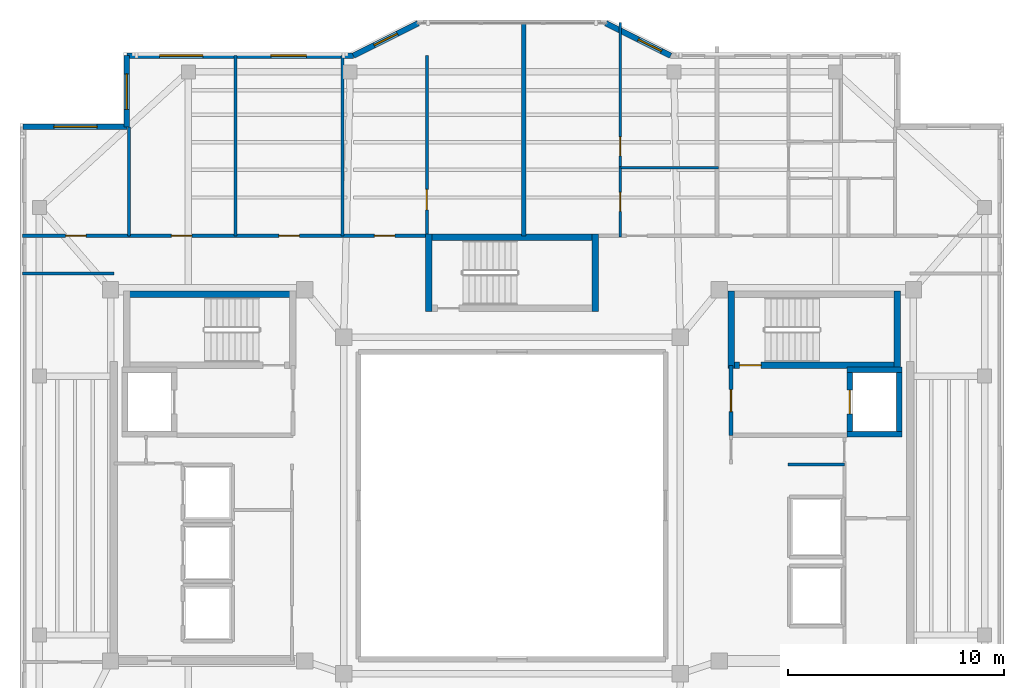
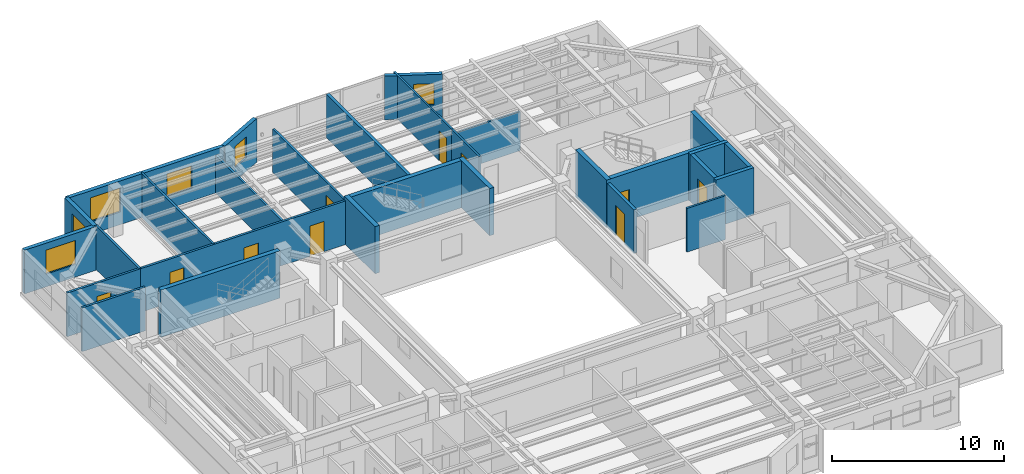
# One storey, part 9 of 14: 29 walls, 10 doors, 6 windows, 16 openings.
"""IFC4 building model written with IfcOpenShell, lengths in metres."""

from ifc_helpers import new_model, si_unit, direction, frame, frame_2d, origin, place, context, subcontext, project, spatial, rectangle, extrude, material, layer, layer_set, type_object, element, fill, save


model = new_model("IFC4")

# Units and contexts
model_context = context("Model", 3, precision=1e-05, world=origin(), true_north=direction((0.0, 1.0)))
body_context = subcontext(model_context, "Body", "Model", "MODEL_VIEW")
ifc_project = project(units=[si_unit("LENGTHUNIT", "METRE"), si_unit("AREAUNIT", "SQUARE_METRE"), si_unit("VOLUMEUNIT", "CUBIC_METRE"), si_unit("PLANEANGLEUNIT", "RADIAN"), si_unit("MASSUNIT", "GRAM", prefix="KILO")], contexts=[model_context])

# Site, building, storey
site_placement = place(None, origin())
site = spatial("IfcSite", under=ifc_project, at=site_placement, CompositionType="ELEMENT")
building_placement = place(site_placement, origin())
building = spatial("IfcBuilding", under=site, at=building_placement, Name="Tarnavaz Court Tower", CompositionType="ELEMENT")
storey_placement = place(building_placement, frame((0.0, 0.0, 258.25)))
storey = spatial("IfcBuildingStorey", under=building, at=storey_placement, Name="L70", CompositionType="ELEMENT", Elevation=258.25)

# Wall, opening, door
ifc_material_1 = material(Name="Concrete C50/60", Category="concrete")
ifc_layer_1 = layer(ifc_material_1, 0.25)
ifc_layer_set_1 = layer_set([ifc_layer_1], Name="Concrete C50/60")
wall_type_1 = type_object("IfcWallType", Name="WL-CORE-250-C50", PredefinedType="SHEAR", material=ifc_layer_set_1)
wall_1_placement = place(storey_placement, frame((15.64990234375, 3.175048828125, 0.0), z_axis=(0.0, 0.0, 1.0), x_axis=(0.0, 1.0, 0.0)))
wall_1 = element("IfcWall", 1, at=wall_1_placement, inside=storey, type_object=wall_type_1, Name="L70 Lift FL-E1 Shaft Wall 033", PredefinedType="SHEAR", context=body_context, shape_type="SweptSolid", body=[
    extrude(rectangle(XDim=3.25, YDim=0.25, at=frame_2d((1.625, 0.0))), origin(), (0.0, 0.0, 1.0), 3.35009765625),
])
opening_1_placement = place(wall_1_placement, frame((1.074951171875, 0.0, 0.0)))
opening_1 = element("IfcOpeningElement", 2, at=opening_1_placement, cuts=wall_1, Name="Opening LD1", PredefinedType="OPENING", context=body_context, shape_type="SweptSolid", body=[
    extrude(rectangle(XDim=1.10009765625, YDim=2.14990234375, at=frame_2d((0.550048828125, 1.074951171875))), frame((0.0, 0.135009765625, 0.0), z_axis=(0.0, -1.0, 0.0), x_axis=(1.0, 0.0, 0.0)), (0.0, 0.0, 1.0), 0.27001953125),
])
ifc_material_2 = material(Name="Stainless Steel", Category="steel")
door_type_1 = type_object("IfcDoorType", Name="DR-LD-1100", OperationType="NOTDEFINED", PredefinedType="DOOR", material=ifc_material_2)
door_1_placement = place(opening_1_placement, origin())
door_1 = element("IfcDoor", 3, at=door_1_placement, inside=storey, type_object=door_type_1, Name="L70 Lift Landing Door LD-FL-E1", OperationType="SLIDING_TO_LEFT", OverallHeight=2.14990234375, OverallWidth=1.10009765625, PredefinedType="DOOR", context=body_context, shape_type="SweptSolid", body=[
    extrude(rectangle(XDim=1.10009765625, YDim=2.14990234375, at=frame_2d((0.550048828125, 1.074951171875))), frame((0.0, 0.02490234375, 0.0), z_axis=(0.0, -1.0, 0.0), x_axis=(1.0, 0.0, 0.0)), (0.0, 0.0, 1.0), 0.050048828125),
])
fill(opening_1, door_1)

# Walls
wall_2_placement = place(storey_placement, frame((17.949951171875, 3.175048828125, 0.0), z_axis=(0.0, 0.0, 1.0), x_axis=(0.0, 1.0, 0.0)))
element("IfcWall", 4, at=wall_2_placement, inside=storey, type_object=wall_type_1, Name="L70 Lift FL-E1 Shaft Wall 034", PredefinedType="SHEAR", context=body_context, shape_type="SweptSolid", body=[
    extrude(rectangle(XDim=3.25, YDim=0.25, at=frame_2d((1.625, 0.0))), origin(), (0.0, 0.0, 1.0), 3.35009765625),
])
for number, where, z_axis, x_axis, name in (
    (5, (15.52490234375, 3.300048828125, 0.0), (0.0, 0.0, 1.0), (1.0, 0.0, 0.0), "L70 Lift FL-E1 Shaft Wall 035"),
    (6, (15.52490234375, 6.300048828125, 0.0), (0.0, 0.0, 1.0), (1.0, 0.0, 0.0), "L70 Lift FL-E1 Shaft Wall 036"),
):
    element("IfcWall", number, at=place(storey_placement, frame(where, z_axis=z_axis, x_axis=x_axis)), inside=storey, type_object=wall_type_1, Name=name, PredefinedType="SHEAR", context=body_context, shape_type="SweptSolid", body=[
        extrude(rectangle(XDim=2.550048828125, YDim=0.25, at=frame_2d((1.27490234375, 0.0))), origin(), (0.0, 0.0, 1.0), 3.35009765625),
    ])
ifc_layer_2 = layer(ifc_material_1, 0.300048828125)
ifc_layer_set_2 = layer_set([ifc_layer_2], Name="Concrete C50/60")
wall_type_2 = type_object("IfcWallType", Name="WL-CORE-300-C50", PredefinedType="SHEAR", material=ifc_layer_set_2)
wall_3_placement = place(storey_placement, frame((-18.0, 9.7900390625, 0.0), z_axis=(0.0, 0.0, 1.0), x_axis=(1.0, 0.0, 0.0)))
element("IfcWall", 7, at=wall_3_placement, inside=storey, type_object=wall_type_2, Name="L70 West Stair Core Wall 001", PredefinedType="SHEAR", context=body_context, shape_type="SweptSolid", body=[
    extrude(rectangle(XDim=8.0, YDim=0.300048828125, at=frame_2d((4.0, 0.0))), origin(), (0.0, 0.0, 1.0), 3.35009765625),
])

# Wall, opening, door
wall_4_placement = place(storey_placement, frame((10.0, 6.5, 0.0), z_axis=(0.0, 0.0, 1.0), x_axis=(1.0, 0.0, 0.0)))
wall_4 = element("IfcWall", 8, at=wall_4_placement, inside=storey, type_object=wall_type_2, Name="L70 East Stair Core Wall 006", PredefinedType="SHEAR", context=body_context, shape_type="SweptSolid", body=[
    extrude(rectangle(XDim=8.0, YDim=0.300048828125, at=frame_2d((4.0, 0.0))), origin(), (0.0, 0.0, 1.0), 3.35009765625),
])
opening_2_placement = place(wall_4_placement, frame((0.550048828125, 0.0, 0.0)))
opening_2 = element("IfcOpeningElement", 9, at=opening_2_placement, cuts=wall_4, Name="Opening D01", PredefinedType="OPENING", context=body_context, shape_type="SweptSolid", body=[
    extrude(rectangle(XDim=1.0, YDim=2.14990234375, at=frame_2d((0.5, 1.074951171875))), frame((0.0, 0.159912109375, 0.0), z_axis=(0.0, -1.0, 0.0), x_axis=(1.0, 0.0, 0.0)), (0.0, 0.0, 1.0), 0.320068359375),
])
ifc_material_3 = material(Name="Fire-Rated Hardwood Timber Core", Category="wood")
door_type_2 = type_object("IfcDoorType", Name="DR-FD90-1000", OperationType="NOTDEFINED", PredefinedType="DOOR", material=ifc_material_3)
door_2_placement = place(opening_2_placement, origin())
door_2 = element("IfcDoor", 10, at=door_2_placement, inside=storey, type_object=door_type_2, Name="L70 Stair ST-E1 Exit Door", OperationType="SINGLE_SWING_RIGHT", OverallHeight=2.14990234375, OverallWidth=1.0, PredefinedType="DOOR", context=body_context, shape_type="SweptSolid", body=[
    extrude(rectangle(XDim=1.0, YDim=2.14990234375, at=frame_2d((0.5, 1.074951171875))), frame((0.0, 0.02490234375, 0.0), z_axis=(0.0, -1.0, 0.0), x_axis=(1.0, 0.0, 0.0)), (0.0, 0.0, 1.0), 0.050048828125),
])
fill(opening_2, door_2)

# Walls
for number, where, z_axis, x_axis, name in (
    (11, (10.14990234375, 6.35009765625, 0.0), (0.0, 0.0, 1.0), (0.0, 1.0, 0.0), "L70 East Stair Core Wall 007"),
    (12, (17.85009765625, 6.35009765625, 0.0), (0.0, 0.0, 1.0), (0.0, 1.0, 0.0), "L70 East Stair Core Wall 008"),
):
    element("IfcWall", number, at=place(storey_placement, frame(where, z_axis=z_axis, x_axis=x_axis)), inside=storey, type_object=wall_type_2, Name=name, PredefinedType="SHEAR", context=body_context, shape_type="SweptSolid", body=[
        extrude(rectangle(XDim=3.58984375, YDim=0.300048828125, at=frame_2d((1.794921875, 0.0))), origin(), (0.0, 0.0, 1.0), 3.35009765625),
    ])
wall_5_placement = place(storey_placement, frame((-4.0, 12.43994140625, 0.0), z_axis=(0.0, 0.0, 1.0), x_axis=(1.0, 0.0, 0.0)))
element("IfcWall", 13, at=wall_5_placement, inside=storey, type_object=wall_type_2, Name="L70 North Stair Core Wall 009", PredefinedType="SHEAR", context=body_context, shape_type="SweptSolid", body=[
    extrude(rectangle(XDim=8.0, YDim=0.300048828125, at=frame_2d((4.0, 0.0))), origin(), (0.0, 0.0, 1.0), 3.35009765625),
])
for number, where, z_axis, x_axis, name in (
    (14, (-3.85009765625, 9.0, 0.0), (0.0, 0.0, 1.0), (0.0, 1.0, 0.0), "L70 North Stair Core Wall 011"),
    (15, (3.85009765625, 9.0, 0.0), (0.0, 0.0, 1.0), (0.0, 1.0, 0.0), "L70 North Stair Core Wall 012"),
):
    element("IfcWall", number, at=place(storey_placement, frame(where, z_axis=z_axis, x_axis=x_axis)), inside=storey, type_object=wall_type_2, Name=name, PredefinedType="SHEAR", context=body_context, shape_type="SweptSolid", body=[
        extrude(rectangle(XDim=3.590087890625, YDim=0.300048828125, at=frame_2d((1.794921875, 0.0))), origin(), (0.0, 0.0, 1.0), 3.35009765625),
    ])

# Wall, opening, window
ifc_material_4 = material(Name="Precast Concrete C40/50", Category="concrete")
ifc_layer_3 = layer(ifc_material_4, 0.260009765625)
ifc_layer_set_3 = layer_set([ifc_layer_3], Name="Precast Concrete C40/50")
wall_type_3 = type_object("IfcWallType", Name="WL-EXT-260", PredefinedType="SOLIDWALL", material=ifc_layer_set_3)
wall_6_placement = place(storey_placement, frame((-22.64990234375, 17.550048828125, 0.0), z_axis=(0.0, 0.0, 1.0), x_axis=(1.0, 0.0, 0.0)))
wall_6 = element("IfcWall", 16, at=wall_6_placement, inside=storey, type_object=wall_type_3, Name="L70 Exterior Terracotta Facade Wall 03", PredefinedType="SOLIDWALL", context=body_context, shape_type="SweptSolid", body=[
    extrude(rectangle(XDim=4.7998046875, YDim=0.260009765625, at=frame_2d((2.39990234375, 0.0))), origin(), (0.0, 0.0, 1.0), 3.10009765625),
])
opening_3_placement = place(wall_6_placement, frame((1.42529296875, 0.0, 0.89990234375)))
opening_3 = element("IfcOpeningElement", 17, at=opening_3_placement, cuts=wall_6, Name="Opening W08", PredefinedType="OPENING", context=body_context, shape_type="SweptSolid", body=[
    extrude(rectangle(XDim=2.0, YDim=1.699951171875, at=frame_2d((1.0, 0.85009765625))), frame((0.0, 0.139892578125, 0.0), z_axis=(0.0, -1.0, 0.0), x_axis=(1.0, 0.0, 0.0)), (0.0, 0.0, 1.0), 0.280029296875),
])
ifc_material_5 = material(Name="Double-Glazed Solar Low-E Glass", Category="glass")
window_type_1 = type_object("IfcWindowType", Name="WN-APT-2000", PartitioningType="DOUBLE_PANEL_VERTICAL", PredefinedType="WINDOW", material=ifc_material_5)
window_1_placement = place(opening_3_placement, origin())
window_1 = element("IfcWindow", 18, at=window_1_placement, inside=storey, type_object=window_type_1, Name="L70 North-West Corner Sunroom Study Window", OverallHeight=1.699951171875, OverallWidth=2.0, PartitioningType="SINGLE_PANEL", PredefinedType="WINDOW", context=body_context, shape_type="SweptSolid", body=[
    extrude(rectangle(XDim=2.0, YDim=1.699951171875, at=frame_2d((1.0, 0.85009765625))), frame((0.0, 0.030029296875, 0.0), z_axis=(0.0, -1.0, 0.0), x_axis=(1.0, 0.0, 0.0)), (0.0, 0.0, 1.0), 0.06005859375),
])
fill(opening_3, window_1)

wall_7_placement = place(storey_placement, frame((-17.85009765625, 17.550048828125, 0.0), z_axis=(0.0, 0.0, 1.0), x_axis=(0.0, 1.0, 0.0)))
wall_7 = element("IfcWall", 19, at=wall_7_placement, inside=storey, type_object=wall_type_3, Name="L70 Exterior Terracotta Facade Wall 04", PredefinedType="SOLIDWALL", context=body_context, shape_type="SweptSolid", body=[
    extrude(rectangle(XDim=3.300048828125, YDim=0.260009765625, at=frame_2d((1.64990234375, 0.0))), origin(), (0.0, 0.0, 1.0), 3.10009765625),
])
opening_4_placement = place(wall_7_placement, frame((0.8076171875, 0.0, 0.89990234375)))
opening_4 = element("IfcOpeningElement", 20, at=opening_4_placement, cuts=wall_7, Name="Opening W02", PredefinedType="OPENING", context=body_context, shape_type="SweptSolid", body=[
    extrude(rectangle(XDim=1.64990234375, YDim=1.60009765625, at=frame_2d((0.824951171875, 0.800048828125))), frame((0.0, 0.139892578125, 0.0), z_axis=(0.0, -1.0, 0.0), x_axis=(1.0, 0.0, 0.0)), (0.0, 0.0, 1.0), 0.280029296875),
])
window_type_2 = type_object("IfcWindowType", Name="WN-APT-1650", PartitioningType="DOUBLE_PANEL_VERTICAL", PredefinedType="WINDOW", material=ifc_material_5)
window_2_placement = place(opening_4_placement, origin())
window_2 = element("IfcWindow", 21, at=window_2_placement, inside=storey, type_object=window_type_2, Name="L70 Resident Community Meeting Room Window", OverallHeight=1.60009765625, OverallWidth=1.64990234375, PartitioningType="SINGLE_PANEL", PredefinedType="WINDOW", context=body_context, shape_type="SweptSolid", body=[
    extrude(rectangle(XDim=1.64990234375, YDim=1.60009765625, at=frame_2d((0.824951171875, 0.800048828125))), frame((0.0, 0.030029296875, 0.0), z_axis=(0.0, -1.0, 0.0), x_axis=(1.0, 0.0, 0.0)), (0.0, 0.0, 1.0), 0.06005859375),
])
fill(opening_4, window_2)

# Wall, openings, windows
wall_8_placement = place(storey_placement, frame((-17.85009765625, 20.85009765625, 0.0), z_axis=(0.0, 0.0, 1.0), x_axis=(1.0, 0.0, 0.0)))
wall_8 = element("IfcWall", 22, at=wall_8_placement, inside=storey, type_object=wall_type_3, Name="L70 Exterior Terracotta Facade Wall 05", PredefinedType="SOLIDWALL", context=body_context, shape_type="SweptSolid", body=[
    extrude(rectangle(XDim=10.5, YDim=0.260009765625, at=frame_2d((5.25, 0.0))), origin(), (0.0, 0.0, 1.0), 3.10009765625),
])
opening_5_placement = place(wall_8_placement, frame((1.52490234375, 0.0, 0.89990234375)))
opening_5 = element("IfcOpeningElement", 23, at=opening_5_placement, cuts=wall_8, Name="Opening W08", PredefinedType="OPENING", context=body_context, shape_type="SweptSolid", body=[
    extrude(rectangle(XDim=2.0, YDim=1.699951171875, at=frame_2d((1.0, 0.85009765625))), frame((0.0, 0.139892578125, 0.0), z_axis=(0.0, -1.0, 0.0), x_axis=(1.0, 0.0, 0.0)), (0.0, 0.0, 1.0), 0.280029296875),
])
opening_6_placement = place(wall_8_placement, frame((6.675048828125, 0.0, 0.89990234375)))
opening_6 = element("IfcOpeningElement", 24, at=opening_6_placement, cuts=wall_8, Name="Opening W02", PredefinedType="OPENING", context=body_context, shape_type="SweptSolid", body=[
    extrude(rectangle(XDim=1.64990234375, YDim=1.60009765625, at=frame_2d((0.824951171875, 0.800048828125))), frame((0.0, 0.139892578125, 0.0), z_axis=(0.0, -1.0, 0.0), x_axis=(1.0, 0.0, 0.0)), (0.0, 0.0, 1.0), 0.280029296875),
])
window_3_placement = place(opening_6_placement, origin())
window_3 = element("IfcWindow", 25, at=window_3_placement, inside=storey, type_object=window_type_2, Name="L70 Craft and Maker Workshop Room Window", OverallHeight=1.60009765625, OverallWidth=1.64990234375, PartitioningType="SINGLE_PANEL", PredefinedType="WINDOW", context=body_context, shape_type="SweptSolid", body=[
    extrude(rectangle(XDim=1.64990234375, YDim=1.60009765625, at=frame_2d((0.824951171875, 0.800048828125))), frame((0.0, 0.030029296875, 0.0), z_axis=(0.0, -1.0, 0.0), x_axis=(1.0, 0.0, 0.0)), (0.0, 0.0, 1.0), 0.06005859375),
])
fill(opening_6, window_3)
window_4_placement = place(opening_5_placement, origin())
window_4 = element("IfcWindow", 26, at=window_4_placement, inside=storey, type_object=window_type_1, Name="L70 Resident Community Meeting Room Window", OverallHeight=1.699951171875, OverallWidth=2.0, PartitioningType="SINGLE_PANEL", PredefinedType="WINDOW", context=body_context, shape_type="SweptSolid", body=[
    extrude(rectangle(XDim=2.0, YDim=1.699951171875, at=frame_2d((1.0, 0.85009765625))), frame((0.0, 0.030029296875, 0.0), z_axis=(0.0, -1.0, 0.0), x_axis=(1.0, 0.0, 0.0)), (0.0, 0.0, 1.0), 0.06005859375),
])
fill(opening_5, window_4)

# Wall, opening, window
wall_9_placement = place(storey_placement, frame((-7.35009765625, 20.85009765625, 0.0), z_axis=(0.0, 0.0, 1.0), x_axis=(0.894427191, 0.4472135955, 0.0)))
wall_9 = element("IfcWall", 27, at=wall_9_placement, inside=storey, type_object=wall_type_3, Name="L70 Exterior Terracotta Facade Wall 06", PredefinedType="SOLIDWALL", context=body_context, shape_type="SweptSolid", body=[
    extrude(rectangle(XDim=3.35400390625, YDim=0.260009765625, at=frame_2d((1.677001953125, 0.0))), origin(), (0.0, 0.0, 1.0), 3.10009765625),
])
opening_7_placement = place(wall_9_placement, frame((1.0771484375, 0.0, 0.949951171875)))
opening_7 = element("IfcOpeningElement", 28, at=opening_7_placement, cuts=wall_9, Name="Opening W05", PredefinedType="OPENING", context=body_context, shape_type="SweptSolid", body=[
    extrude(rectangle(XDim=1.199951171875, YDim=1.5, at=frame_2d((0.60009765625, 0.75))), frame((0.0, 0.139892578125, 0.0), z_axis=(0.0, -1.0, 0.0), x_axis=(1.0, 0.0, 0.0)), (0.0, 0.0, 1.0), 0.280029296875),
])
window_type_3 = type_object("IfcWindowType", Name="WN-APT-1200", PartitioningType="SINGLE_PANEL", PredefinedType="WINDOW", material=ifc_material_5)
window_5_placement = place(opening_7_placement, origin())
window_5 = element("IfcWindow", 29, at=window_5_placement, inside=storey, type_object=window_type_3, Name="L70 Prow Cheek Bedroom Window 06", OverallHeight=1.5, OverallWidth=1.199951171875, PartitioningType="SINGLE_PANEL", PredefinedType="WINDOW", context=body_context, shape_type="SweptSolid", body=[
    extrude(rectangle(XDim=1.199951171875, YDim=1.5, at=frame_2d((0.60009765625, 0.75))), frame((0.0, 0.030029296875, 0.0), z_axis=(0.0, -1.0, 0.0), x_axis=(1.0, 0.0, 0.0)), (0.0, 0.0, 1.0), 0.06005859375),
])
fill(opening_7, window_5)

wall_10_placement = place(storey_placement, frame((4.35009765625, 22.35009765625, 0.0), z_axis=(0.0, 0.0, 1.0), x_axis=(0.894427191, -0.4472135955, 0.0)))
wall_10 = element("IfcWall", 30, at=wall_10_placement, inside=storey, type_object=wall_type_3, Name="L70 Exterior Terracotta Facade Wall 08", PredefinedType="SOLIDWALL", context=body_context, shape_type="SweptSolid", body=[
    extrude(rectangle(XDim=3.35400390625, YDim=0.260009765625, at=frame_2d((1.677001953125, 0.0))), origin(), (0.0, 0.0, 1.0), 3.10009765625),
])
opening_8_placement = place(wall_10_placement, frame((1.677978515625, 0.0, 0.949951171875)))
opening_8 = element("IfcOpeningElement", 31, at=opening_8_placement, cuts=wall_10, Name="Opening W05", PredefinedType="OPENING", context=body_context, shape_type="SweptSolid", body=[
    extrude(rectangle(XDim=1.199951171875, YDim=1.5, at=frame_2d((0.60009765625, 0.75))), frame((0.0, 0.139892578125, 0.0), z_axis=(0.0, -1.0, 0.0), x_axis=(1.0, 0.0, 0.0)), (0.0, 0.0, 1.0), 0.280029296875),
])
window_6_placement = place(opening_8_placement, origin())
window_6 = element("IfcWindow", 32, at=window_6_placement, inside=storey, type_object=window_type_3, Name="L70 Flat 01 Kitchen Window", OverallHeight=1.5, OverallWidth=1.199951171875, PartitioningType="SINGLE_PANEL", PredefinedType="WINDOW", context=body_context, shape_type="SweptSolid", body=[
    extrude(rectangle(XDim=1.199951171875, YDim=1.5, at=frame_2d((0.60009765625, 0.75))), frame((0.0, 0.030029296875, 0.0), z_axis=(0.0, -1.0, 0.0), x_axis=(1.0, 0.0, 0.0)), (0.0, 0.0, 1.0), 0.06005859375),
])
fill(opening_8, window_6)

# Wall, openings, doors
ifc_material_6 = material(Name="Gypsum Fire-Board on Acoustic Metal Stud", Category="masonry")
ifc_layer_4 = layer(ifc_material_6, 0.14990234375)
ifc_layer_set_4 = layer_set([ifc_layer_4], Name="Gypsum Fire-Board on Acoustic Metal Stud")
wall_type_4 = type_object("IfcWallType", Name="WL-FIRE-150", PredefinedType="PARTITIONING", material=ifc_layer_set_4)
wall_11_placement = place(storey_placement, frame((-17.75, 12.5, 0.0), z_axis=(0.0, 0.0, 1.0), x_axis=(1.0, 0.0, 0.0)))
wall_11 = element("IfcWall", 33, at=wall_11_placement, inside=storey, type_object=wall_type_4, Name="L70 NW Wing Corridor Wall 057", PredefinedType="PARTITIONING", context=body_context, shape_type="SweptSolid", body=[
    extrude(rectangle(XDim=13.89990234375, YDim=0.14990234375, at=frame_2d((6.949951171875, 0.0))), origin(), (0.0, 0.0, 1.0), 3.10009765625),
])
opening_9_placement = place(wall_11_placement, frame((1.968017578125, 0.0, 0.0)))
opening_9 = element("IfcOpeningElement", 34, at=opening_9_placement, cuts=wall_11, Name="Opening D13", PredefinedType="OPENING", context=body_context, shape_type="SweptSolid", body=[
    extrude(rectangle(XDim=0.949951171875, YDim=2.14990234375, at=frame_2d((0.47509765625, 1.074951171875))), frame((0.0, 0.0849609375, 0.0), z_axis=(0.0, -1.0, 0.0), x_axis=(1.0, 0.0, 0.0)), (0.0, 0.0, 1.0), 0.169921875),
])
opening_10_placement = place(wall_11_placement, frame((6.944091796875, 0.0, 0.0)))
opening_10 = element("IfcOpeningElement", 35, at=opening_10_placement, cuts=wall_11, Name="Opening D13", PredefinedType="OPENING", context=body_context, shape_type="SweptSolid", body=[
    extrude(rectangle(XDim=0.949951171875, YDim=2.14990234375, at=frame_2d((0.47509765625, 1.074951171875))), frame((0.0, 0.0849609375, 0.0), z_axis=(0.0, -1.0, 0.0), x_axis=(1.0, 0.0, 0.0)), (0.0, 0.0, 1.0), 0.169921875),
])
opening_11_placement = place(wall_11_placement, frame((11.37109375, 0.0, 0.0)))
opening_11 = element("IfcOpeningElement", 36, at=opening_11_placement, cuts=wall_11, Name="Opening D13", PredefinedType="OPENING", context=body_context, shape_type="SweptSolid", body=[
    extrude(rectangle(XDim=0.949951171875, YDim=2.14990234375, at=frame_2d((0.47509765625, 1.074951171875))), frame((0.0, 0.0849609375, 0.0), z_axis=(0.0, -1.0, 0.0), x_axis=(1.0, 0.0, 0.0)), (0.0, 0.0, 1.0), 0.169921875),
])
ifc_material_7 = material(Name="Engineered Oak Timber", Category="wood")
door_type_3 = type_object("IfcDoorType", Name="DR-INT-950", OperationType="NOTDEFINED", PredefinedType="DOOR", material=ifc_material_7)
door_3_placement = place(opening_9_placement, origin())
door_3 = element("IfcDoor", 37, at=door_3_placement, inside=storey, type_object=door_type_3, Name="L70 Resident Community Meeting Room Door", OperationType="SINGLE_SWING_LEFT", OverallHeight=2.14990234375, OverallWidth=0.949951171875, PredefinedType="DOOR", context=body_context, shape_type="SweptSolid", body=[
    extrude(rectangle(XDim=0.949951171875, YDim=2.14990234375, at=frame_2d((0.47509765625, 1.074951171875))), frame((0.0, 0.02490234375, 0.0), z_axis=(0.0, -1.0, 0.0), x_axis=(1.0, 0.0, 0.0)), (0.0, 0.0, 1.0), 0.050048828125),
])
fill(opening_9, door_3)
door_4_placement = place(opening_10_placement, origin())
door_4 = element("IfcDoor", 38, at=door_4_placement, inside=storey, type_object=door_type_3, Name="L70 Craft and Maker Workshop Room Door", OperationType="SINGLE_SWING_RIGHT", OverallHeight=2.14990234375, OverallWidth=0.949951171875, PredefinedType="DOOR", context=body_context, shape_type="SweptSolid", body=[
    extrude(rectangle(XDim=0.949951171875, YDim=2.14990234375, at=frame_2d((0.47509765625, 1.074951171875))), frame((0.0, 0.02490234375, 0.0), z_axis=(0.0, -1.0, 0.0), x_axis=(1.0, 0.0, 0.0)), (0.0, 0.0, 1.0), 0.050048828125),
])
fill(opening_10, door_4)
door_5_placement = place(opening_11_placement, origin())
door_5 = element("IfcDoor", 39, at=door_5_placement, inside=storey, type_object=door_type_3, Name="L70 Accessible Washroom WC Door", OperationType="SINGLE_SWING_LEFT", OverallHeight=2.14990234375, OverallWidth=0.949951171875, PredefinedType="DOOR", context=body_context, shape_type="SweptSolid", body=[
    extrude(rectangle(XDim=0.949951171875, YDim=2.14990234375, at=frame_2d((0.47509765625, 1.074951171875))), frame((0.0, 0.02490234375, 0.0), z_axis=(0.0, -1.0, 0.0), x_axis=(1.0, 0.0, 0.0)), (0.0, 0.0, 1.0), 0.050048828125),
])
fill(opening_11, door_5)

# Wall
wall_12_placement = place(storey_placement, frame((-22.679931640625, 10.75, 0.0), z_axis=(0.0, 0.0, 1.0), x_axis=(1.0, 0.0, 0.0)))
element("IfcWall", 40, at=wall_12_placement, inside=storey, type_object=wall_type_4, Name="L70 Interior Partition 094", PredefinedType="PARTITIONING", context=body_context, shape_type="SweptSolid", body=[
    extrude(rectangle(XDim=4.22998046875, YDim=0.14990234375, at=frame_2d((2.114990234375, 0.0))), origin(), (0.0, 0.0, 1.0), 3.10009765625),
])

# Wall, opening, door
wall_13_placement = place(storey_placement, frame((-22.679931640625, 12.5, 0.0), z_axis=(0.0, 0.0, 1.0), x_axis=(1.0, 0.0, 0.0)))
wall_13 = element("IfcWall", 41, at=wall_13_placement, inside=storey, type_object=wall_type_4, Name="L70 Interior Partition 101", PredefinedType="PARTITIONING", context=body_context, shape_type="SweptSolid", body=[
    extrude(rectangle(XDim=4.929931640625, YDim=0.14990234375, at=frame_2d((2.46484375, 0.0))), origin(), (0.0, 0.0, 1.0), 3.10009765625),
])
opening_12_placement = place(wall_13_placement, frame((1.989990234375, 0.0, 0.0)))
opening_12 = element("IfcOpeningElement", 42, at=opening_12_placement, cuts=wall_13, Name="Opening D13", PredefinedType="OPENING", context=body_context, shape_type="SweptSolid", body=[
    extrude(rectangle(XDim=0.949951171875, YDim=2.14990234375, at=frame_2d((0.47509765625, 1.074951171875))), frame((0.0, 0.0849609375, 0.0), z_axis=(0.0, -1.0, 0.0), x_axis=(1.0, 0.0, 0.0)), (0.0, 0.0, 1.0), 0.169921875),
])
door_6_placement = place(opening_12_placement, origin())
door_6 = element("IfcDoor", 43, at=door_6_placement, inside=storey, type_object=door_type_3, Name="L70 NW Sunroom Door", OperationType="SINGLE_SWING_LEFT", OverallHeight=2.14990234375, OverallWidth=0.949951171875, PredefinedType="DOOR", context=body_context, shape_type="SweptSolid", body=[
    extrude(rectangle(XDim=0.949951171875, YDim=2.14990234375, at=frame_2d((0.47509765625, 1.074951171875))), frame((0.0, 0.02490234375, 0.0), z_axis=(0.0, -1.0, 0.0), x_axis=(1.0, 0.0, 0.0)), (0.0, 0.0, 1.0), 0.050048828125),
])
fill(opening_12, door_6)

ifc_material_8 = material(Name="Autoclaved Aerated Concrete Blockwork", Category="masonry")
ifc_layer_5 = layer(ifc_material_8, 0.199951171875)
ifc_layer_set_5 = layer_set([ifc_layer_5], Name="Autoclaved Aerated Concrete Blockwork")
wall_type_5 = type_object("IfcWallType", Name="WL-FIRE-200", PredefinedType="SOLIDWALL", material=ifc_layer_set_5)
wall_14_placement = place(storey_placement, frame((10.14990234375, 3.25, 0.0), z_axis=(0.0, 0.0, 1.0), x_axis=(0.0, 1.0, 0.0)))
wall_14 = element("IfcWall", 44, at=wall_14_placement, inside=storey, type_object=wall_type_5, Name="L70 East Firefighting Lobby Wall 016", PredefinedType="SOLIDWALL", context=body_context, shape_type="SweptSolid", body=[
    extrude(rectangle(XDim=3.25, YDim=0.199951171875, at=frame_2d((1.625, 0.0))), origin(), (0.0, 0.0, 1.0), 3.10009765625),
])
opening_13_placement = place(wall_14_placement, frame((1.10009765625, 0.0, 0.0)))
opening_13 = element("IfcOpeningElement", 45, at=opening_13_placement, cuts=wall_14, Name="Opening D05", PredefinedType="OPENING", context=body_context, shape_type="SweptSolid", body=[
    extrude(rectangle(XDim=1.02001953125, YDim=2.14990234375, at=frame_2d((0.510009765625, 1.074951171875))), frame((0.0, 0.10986328125, 0.0), z_axis=(0.0, -1.0, 0.0), x_axis=(1.0, 0.0, 0.0)), (0.0, 0.0, 1.0), 0.219970703125),
])
door_type_4 = type_object("IfcDoorType", Name="DR-FD60-1000", OperationType="NOTDEFINED", PredefinedType="DOOR", material=ifc_material_3)
door_7_placement = place(opening_13_placement, origin())
door_7 = element("IfcDoor", 46, at=door_7_placement, inside=storey, type_object=door_type_4, Name="L70 East Firefighting Lobby Door", OperationType="SINGLE_SWING_LEFT", OverallHeight=2.14990234375, OverallWidth=1.02001953125, PredefinedType="DOOR", context=body_context, shape_type="SweptSolid", body=[
    extrude(rectangle(XDim=1.02001953125, YDim=2.14990234375, at=frame_2d((0.510009765625, 1.074951171875))), frame((0.0, 0.02490234375, 0.0), z_axis=(0.0, -1.0, 0.0), x_axis=(1.0, 0.0, 0.0)), (0.0, 0.0, 1.0), 0.050048828125),
])
fill(opening_13, door_7)

# Wall
wall_15_placement = place(storey_placement, frame((0.550048828125, 12.5, 0.0), z_axis=(0.0, 0.0, 1.0), x_axis=(0.0, 1.0, 0.0)))
element("IfcWall", 47, at=wall_15_placement, inside=storey, type_object=wall_type_5, Name="L70 North Center Party Wall 061", PredefinedType="SOLIDWALL", context=body_context, shape_type="SweptSolid", body=[
    extrude(rectangle(XDim=9.8798828125, YDim=0.199951171875, at=frame_2d((4.93994140625, 0.0))), origin(), (0.0, 0.0, 1.0), 3.10009765625),
])

# Wall, opening, door
ifc_material_9 = material(Name="Moisture-Resistant Gypsum Board Partition", Category="masonry")
ifc_layer_6 = layer(ifc_material_9, 0.1201171875)
ifc_layer_set_6 = layer_set([ifc_layer_6], Name="Moisture-Resistant Gypsum Board Partition")
wall_type_6 = type_object("IfcWallType", Name="WL-PART-120", PredefinedType="PARTITIONING", material=ifc_layer_set_6)
wall_16_placement = place(storey_placement, frame((5.02490234375, 12.43994140625, 0.0), z_axis=(0.0, 0.0, 1.0), x_axis=(0.0, 1.0, 0.0)))
wall_16 = element("IfcWall", 48, at=wall_16_placement, inside=storey, type_object=wall_type_6, Name="L70 Interior Partition 066", PredefinedType="PARTITIONING", context=body_context, shape_type="SweptSolid", body=[
    extrude(rectangle(XDim=3.2099609375, YDim=0.1201171875, at=frame_2d((1.60498046875, 0.0))), origin(), (0.0, 0.0, 1.0), 3.10009765625),
])
opening_14_placement = place(wall_16_placement, frame((1.195068359375, 0.0, 0.0)))
opening_14 = element("IfcOpeningElement", 49, at=opening_14_placement, cuts=wall_16, Name="Opening D14", PredefinedType="OPENING", context=body_context, shape_type="SweptSolid", body=[
    extrude(rectangle(XDim=0.8798828125, YDim=2.10009765625, at=frame_2d((0.43994140625, 1.050048828125))), frame((0.0, 0.070068359375, 0.0), z_axis=(0.0, -1.0, 0.0), x_axis=(1.0, 0.0, 0.0)), (0.0, 0.0, 1.0), 0.14013671875),
])
door_type_5 = type_object("IfcDoorType", Name="DR-INT-900", OperationType="NOTDEFINED", PredefinedType="DOOR", material=ifc_material_7)
door_8_placement = place(opening_14_placement, origin())
door_8 = element("IfcDoor", 50, at=door_8_placement, inside=storey, type_object=door_type_5, Name="L70 Flat 01 Bathroom Door", OperationType="SINGLE_SWING_RIGHT", OverallHeight=2.10009765625, OverallWidth=0.8798828125, PredefinedType="DOOR", context=body_context, shape_type="SweptSolid", body=[
    extrude(rectangle(XDim=0.8798828125, YDim=2.10009765625, at=frame_2d((0.43994140625, 1.050048828125))), frame((0.0, 0.02490234375, 0.0), z_axis=(0.0, -1.0, 0.0), x_axis=(1.0, 0.0, 0.0)), (0.0, 0.0, 1.0), 0.050048828125),
])
fill(opening_14, door_8)

wall_17_placement = place(storey_placement, frame((5.02490234375, 15.64990234375, 0.0), z_axis=(0.0, 0.0, 1.0), x_axis=(0.0, 1.0, 0.0)))
wall_17 = element("IfcWall", 51, at=wall_17_placement, inside=storey, type_object=wall_type_6, Name="L70 Interior Partition 067", PredefinedType="PARTITIONING", context=body_context, shape_type="SweptSolid", body=[
    extrude(rectangle(XDim=6.72412109375, YDim=0.1201171875, at=frame_2d((3.362060546875, 0.0))), origin(), (0.0, 0.0, 1.0), 3.10009765625),
])
opening_15_placement = place(wall_17_placement, frame((0.550048828125, 0.0, 0.0)))
opening_15 = element("IfcOpeningElement", 52, at=opening_15_placement, cuts=wall_17, Name="Opening D14", PredefinedType="OPENING", context=body_context, shape_type="SweptSolid", body=[
    extrude(rectangle(XDim=0.8798828125, YDim=2.10009765625, at=frame_2d((0.43994140625, 1.050048828125))), frame((0.0, 0.070068359375, 0.0), z_axis=(0.0, -1.0, 0.0), x_axis=(1.0, 0.0, 0.0)), (0.0, 0.0, 1.0), 0.14013671875),
])
door_9_placement = place(opening_15_placement, origin())
door_9 = element("IfcDoor", 53, at=door_9_placement, inside=storey, type_object=door_type_5, Name="L70 Flat 01 Kitchen Door", OperationType="SINGLE_SWING_LEFT", OverallHeight=2.10009765625, OverallWidth=0.8798828125, PredefinedType="DOOR", context=body_context, shape_type="SweptSolid", body=[
    extrude(rectangle(XDim=0.8798828125, YDim=2.10009765625, at=frame_2d((0.43994140625, 1.050048828125))), frame((0.0, 0.02490234375, 0.0), z_axis=(0.0, -1.0, 0.0), x_axis=(1.0, 0.0, 0.0)), (0.0, 0.0, 1.0), 0.050048828125),
])
fill(opening_15, door_9)

# Walls
wall_18_placement = place(storey_placement, frame((4.965087890625, 15.64990234375, 0.0), z_axis=(0.0, 0.0, 1.0), x_axis=(1.0, 0.0, 0.0)))
element("IfcWall", 54, at=wall_18_placement, inside=storey, type_object=wall_type_6, Name="L70 Interior Partition 068", PredefinedType="PARTITIONING", context=body_context, shape_type="SweptSolid", body=[
    extrude(rectangle(XDim=4.594970703125, YDim=0.1201171875, at=frame_2d((2.29736328125, 0.0))), origin(), (0.0, 0.0, 1.0), 2.784912109375),
])
ifc_material_10 = material(Name="Gypsum Plasterboard Acoustic Partition", Category="masonry")
ifc_layer_7 = layer(ifc_material_10, 0.139892578125)
ifc_layer_set_7 = layer_set([ifc_layer_7], Name="Gypsum Plasterboard Acoustic Partition")
wall_type_7 = type_object("IfcWallType", Name="WL-PART-150", PredefinedType="PARTITIONING", material=ifc_layer_set_7)
wall_19_placement = place(storey_placement, frame((12.800048828125, 1.89990234375, 0.0), z_axis=(0.0, 0.0, 1.0), x_axis=(1.0, 0.0, 0.0)))
element("IfcWall", 55, at=wall_19_placement, inside=storey, type_object=wall_type_7, Name="L70 Interior Partition 053", PredefinedType="PARTITIONING", context=body_context, shape_type="SweptSolid", body=[
    extrude(rectangle(XDim=2.599853515625, YDim=0.139892578125, at=frame_2d((1.2998046875, 0.0))), origin(), (0.0, 0.0, 1.0), 3.10009765625),
])

# Wall, opening, door
wall_20_placement = place(storey_placement, frame((-3.949951171875, 12.5, 0.0), z_axis=(0.0, 0.0, 1.0), x_axis=(0.0, 1.0, 0.0)))
wall_20 = element("IfcWall", 56, at=wall_20_placement, inside=storey, type_object=wall_type_7, Name="L70 Interior Partition 062", PredefinedType="PARTITIONING", context=body_context, shape_type="SweptSolid", body=[
    extrude(rectangle(XDim=8.35009765625, YDim=0.139892578125, at=frame_2d((4.175048828125, 0.0))), origin(), (0.0, 0.0, 1.0), 3.10009765625),
])
opening_16_placement = place(wall_20_placement, frame((1.199951171875, 0.0, 0.0)))
opening_16 = element("IfcOpeningElement", 57, at=opening_16_placement, cuts=wall_20, Name="Opening D13", PredefinedType="OPENING", context=body_context, shape_type="SweptSolid", body=[
    extrude(rectangle(XDim=0.949951171875, YDim=2.14990234375, at=frame_2d((0.47509765625, 1.074951171875))), frame((0.0, 0.079833984375, 0.0), z_axis=(0.0, -1.0, 0.0), x_axis=(1.0, 0.0, 0.0)), (0.0, 0.0, 1.0), 0.159912109375),
])
door_10_placement = place(opening_16_placement, origin())
door_10 = element("IfcDoor", 58, at=door_10_placement, inside=storey, type_object=door_type_3, Name="L70 NW Iwan Study Door", OperationType="SINGLE_SWING_RIGHT", OverallHeight=2.14990234375, OverallWidth=0.949951171875, PredefinedType="DOOR", context=body_context, shape_type="SweptSolid", body=[
    extrude(rectangle(XDim=0.949951171875, YDim=2.14990234375, at=frame_2d((0.47509765625, 1.074951171875))), frame((0.0, 0.02490234375, 0.0), z_axis=(0.0, -1.0, 0.0), x_axis=(1.0, 0.0, 0.0)), (0.0, 0.0, 1.0), 0.050048828125),
])
fill(opening_16, door_10)

# Walls
wall_21_placement = place(storey_placement, frame((-12.803955078125, 12.5, 0.0), z_axis=(0.0, 0.0, 1.0), x_axis=(0.0, 1.0, 0.0)))
element("IfcWall", 59, at=wall_21_placement, inside=storey, type_object=wall_type_7, Name="L70 Interior Partition 063", PredefinedType="PARTITIONING", context=body_context, shape_type="SweptSolid", body=[
    extrude(rectangle(XDim=8.35009765625, YDim=0.139892578125, at=frame_2d((4.175048828125, 0.0))), origin(), (0.0, 0.0, 1.0), 3.10009765625),
])
wall_22_placement = place(storey_placement, frame((-7.85693359375, 12.5, 0.0), z_axis=(0.0, 0.0, 1.0), x_axis=(0.0, 1.0, 0.0)))
element("IfcWall", 60, at=wall_22_placement, inside=storey, type_object=wall_type_7, Name="L70 Interior Partition 064", PredefinedType="PARTITIONING", context=body_context, shape_type="SweptSolid", body=[
    extrude(rectangle(XDim=8.35009765625, YDim=0.139892578125, at=frame_2d((4.175048828125, 0.0))), origin(), (0.0, 0.0, 1.0), 2.68505859375),
])
wall_23_placement = place(storey_placement, frame((-17.75, 12.5, 0.0), z_axis=(0.0, 0.0, 1.0), x_axis=(0.0, 1.0, 0.0)))
element("IfcWall", 61, at=wall_23_placement, inside=storey, type_object=wall_type_7, Name="L70 Interior Partition 099", PredefinedType="PARTITIONING", context=body_context, shape_type="SweptSolid", body=[
    extrude(rectangle(XDim=5.050048828125, YDim=0.139892578125, at=frame_2d((2.52490234375, 0.0))), origin(), (0.0, 0.0, 1.0), 3.10009765625),
])

save(model, "model.ifc")
